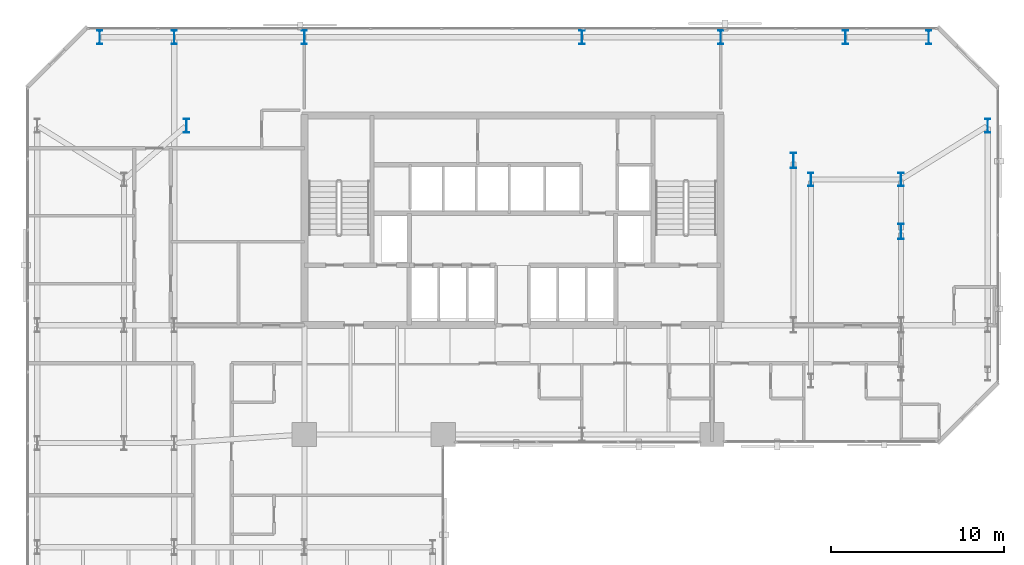
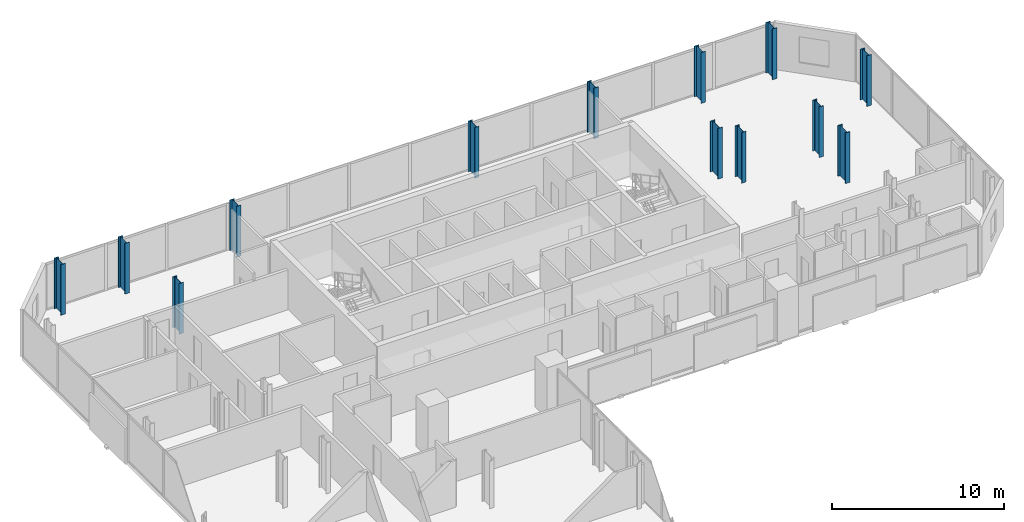
# One storey, part 2 of 32: 13 columns.
"""IFC4 building model written with IfcOpenShell, lengths in metres."""

from ifc_helpers import new_model, si_unit, direction, frame, origin, origin_2d, place, context, subcontext, project, spatial, i_section, extrude, material, material_profile, profile_set, type_object, element, save


model = new_model("IFC4")

# Units and contexts
model_context = context("Model", 3, precision=1e-05, world=origin(), true_north=direction((0.0, 1.0)))
body_context = subcontext(model_context, "Body", "Model", "MODEL_VIEW")
ifc_project = project(units=[si_unit("LENGTHUNIT", "METRE"), si_unit("AREAUNIT", "SQUARE_METRE"), si_unit("VOLUMEUNIT", "CUBIC_METRE"), si_unit("PLANEANGLEUNIT", "RADIAN"), si_unit("MASSUNIT", "GRAM", prefix="KILO")], contexts=[model_context])

# Site, building, storey
site_placement = place(None, origin())
site = spatial("IfcSite", under=ifc_project, at=site_placement, CompositionType="ELEMENT")
building_placement = place(site_placement, origin())
building = spatial("IfcBuilding", under=site, at=building_placement, Name="Catumbela Crestline Tower", CompositionType="ELEMENT")
storey_placement = place(building_placement, frame((0.0, 0.0, 65.4)))
storey = spatial("IfcBuildingStorey", under=building, at=storey_placement, Name="L16", CompositionType="ELEMENT", Elevation=65.4)

# Columns
ifc_material = material(Name="Structural steel S460M", Category="steel")
ifc_material_profile_1 = material_profile(ifc_material, i_section(OverallWidth=0.3, OverallDepth=0.8, WebThickness=0.0175, FlangeThickness=0.033, FilletRadius=0.03, at=origin_2d()), Name="HEB 800")
ifc_profile_set_1 = profile_set([ifc_material_profile_1], Name="Structural steel S460M")
column_type_1 = type_object("IfcColumnType", Name="C-ST-HEB800", PredefinedType="COLUMN", material=ifc_profile_set_1)
for number, where, z_axis, x_axis, name in (
    (1, (9.2, 42.3, 0.0), (0.0, 0.0, 1.0), (1.0, 0.0, 0.0), "L16 Column C-08-43 (HEB 800)"),
    (2, (45.2, 39.2, 0.0), (0.0, 0.0, 1.0), (1.0, 0.0, 0.0), "L16 Column C-46-43 (HEB 800)"),
    (3, (4.2, 47.4, 0.0), (0.0, 0.0, 1.0), (1.0, 0.0, 0.0), "L16 Column C-00-48 (HEB 800)"),
    (4, (8.5, 47.4, 0.0), (0.0, 0.0, 1.0), (1.0, 0.0, 0.0), "L16 Column C-08-48 (HEB 800)"),
    (5, (16.0, 47.4, 0.0), (0.0, 0.0, 1.0), (1.0, 0.0, 0.0), "L16 Column C-16-48 (HEB 800)"),
    (6, (32.0, 47.4, 0.0), (0.0, 0.0, 1.0), (1.0, 0.0, 0.0), "L16 Column C-32-48 (HEB 800)"),
    (7, (40.0, 47.4, 0.0), (0.0, 0.0, 1.0), (1.0, 0.0, 0.0), "L16 Column C-40-48 (HEB 800)"),
    (8, (47.2, 47.4, 0.0), (0.0, 0.0, 1.0), (1.0, 0.0, 0.0), "L16 Column C-48-48 (HEB 800)"),
    (9, (50.4, 39.2, 0.0), (0.0, 0.0, 1.0), (1.0, 0.0, 0.0), "L16 Column C-51-43 (HEB 800)"),
    (10, (55.4, 42.3, 0.0), (0.0, 0.0, 1.0), (1.0, 0.0, 0.0), "L16 Column C-56-43 (HEB 800)"),
    (11, (52.0, 47.4, 0.0), (0.0, 0.0, 1.0), (1.0, 0.0, 0.0), "L16 Column C-56-48 (HEB 800)"),
):
    element("IfcColumn", number, at=place(storey_placement, frame(where, z_axis=z_axis, x_axis=x_axis)), inside=storey, type_object=column_type_1, Name=name, PredefinedType="COLUMN", context=body_context, shape_type="SweptSolid", body=[
        extrude(i_section(OverallWidth=0.3, OverallDepth=0.8, WebThickness=0.0175, FlangeThickness=0.033, FilletRadius=0.03, at=origin_2d()), origin(), (0.0, 0.0, 1.0), 3.6),
    ])
ifc_material_profile_2 = material_profile(ifc_material, i_section(OverallWidth=0.3, OverallDepth=0.9, WebThickness=0.0185, FlangeThickness=0.035, FilletRadius=0.03, at=origin_2d()), Name="HEB 900")
ifc_profile_set_2 = profile_set([ifc_material_profile_2], Name="Structural steel S460M")
column_type_2 = type_object("IfcColumnType", Name="C-ST-HEB900", PredefinedType="COLUMN", material=ifc_profile_set_2)
for number, where, z_axis, x_axis, name in (
    (12, (44.2, 40.3, 0.0), (0.0, 0.0, 1.0), (1.0, 0.0, 0.0), "L16 Column CT-46-37 (HEB 900)"),
    (13, (50.4, 36.2, 0.0), (0.0, 0.0, 1.0), (1.0, 0.0, 0.0), "L16 Column CT-51-37 (HEB 900)"),
):
    element("IfcColumn", number, at=place(storey_placement, frame(where, z_axis=z_axis, x_axis=x_axis)), inside=storey, type_object=column_type_2, Name=name, PredefinedType="COLUMN", context=body_context, shape_type="SweptSolid", body=[
        extrude(i_section(OverallWidth=0.3, OverallDepth=0.9, WebThickness=0.0185, FlangeThickness=0.035, FilletRadius=0.03, at=origin_2d()), origin(), (0.0, 0.0, 1.0), 3.6),
    ])

save(model, "model.ifc")
